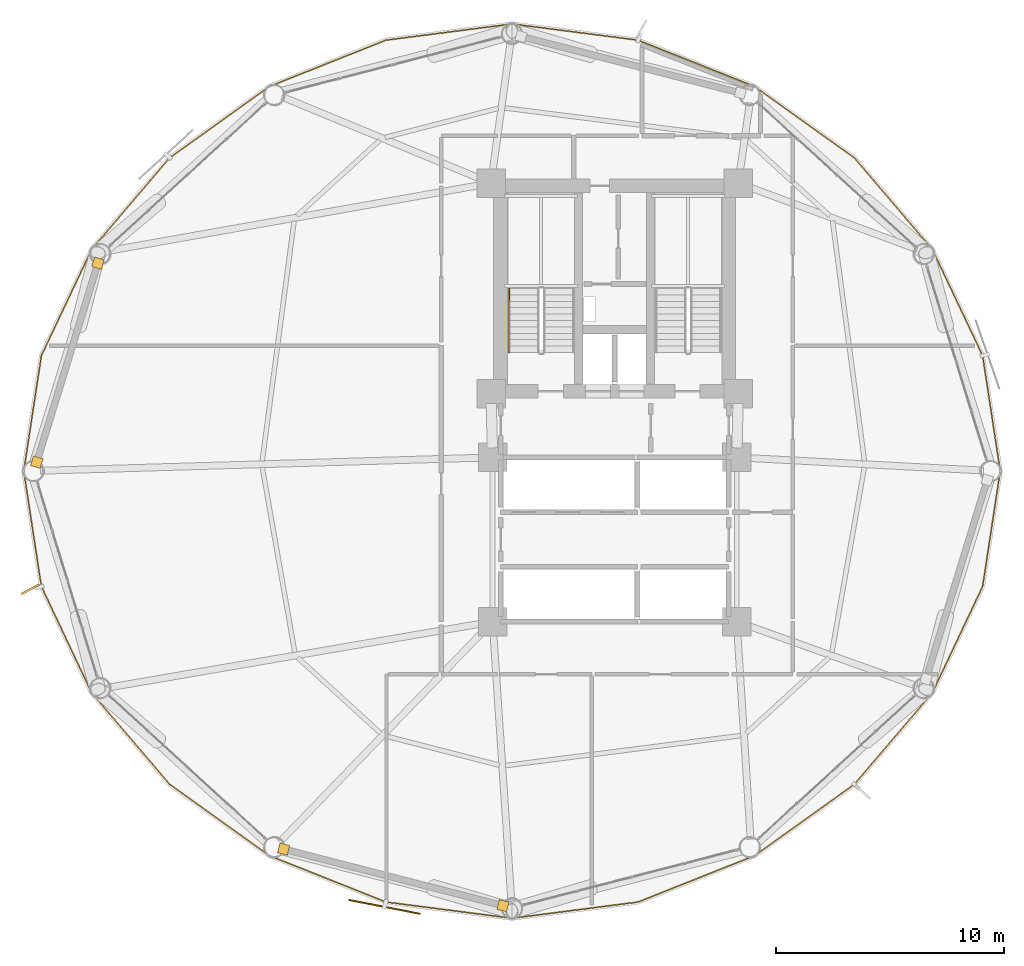
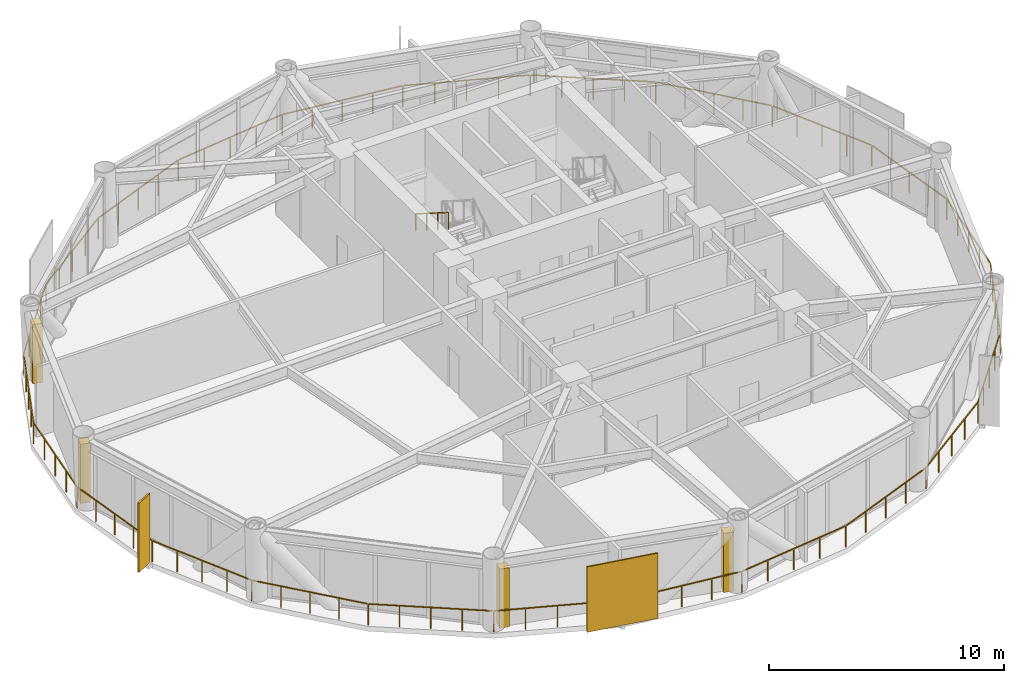
# One storey, part 24 of 26: 4 coverings, 2 railings, 2 shading devices.
"""IFC4 building model written with IfcOpenShell, lengths in metres."""

from ifc_helpers import new_model, si_unit, direction, frame, origin, origin_2d, place, context, subcontext, project, spatial, rectangle, extrude, source, transform, mapped, material, layer, layer_set, type_object, type_shapes, element, save


model = new_model("IFC4")

# Units and contexts
model_context = context("Model", 3, precision=1e-05, world=origin(), true_north=direction((0.0, 1.0)))
body_context = subcontext(model_context, "Body", "Model", "MODEL_VIEW")
ifc_project = project(units=[si_unit("LENGTHUNIT", "METRE"), si_unit("AREAUNIT", "SQUARE_METRE"), si_unit("VOLUMEUNIT", "CUBIC_METRE"), si_unit("PLANEANGLEUNIT", "RADIAN"), si_unit("MASSUNIT", "GRAM", prefix="KILO")], contexts=[model_context])

# Site, building, storey
site_placement = place(None, origin())
site = spatial("IfcSite", under=ifc_project, at=site_placement, CompositionType="ELEMENT")
building_placement = place(site_placement, origin())
building = spatial("IfcBuilding", under=site, at=building_placement, Name="Varnakorn Sky Granary", CompositionType="ELEMENT")
storey_placement = place(building_placement, frame((0.0, 0.0, 47.10009765625)))
storey = spatial("IfcBuildingStorey", under=building, at=storey_placement, Name="L11", CompositionType="ELEMENT", Elevation=47.10009765625)

# Railings
ifc_material_1 = material(Name="Anodised Bronze Aluminium Alloy 6063-T6", Category="aluminium")
railing_type_1 = type_object("IfcRailingType", Name="RL-BAL-1120", PredefinedType="BALUSTRADE", material=ifc_material_1)
railing_1_placement = place(storey_placement, frame((19.898681640625, 0.0, 0.0)))
element("IfcRailing", 1, at=railing_1_placement, inside=storey, type_object=railing_type_1, Name="Perimeter Slab-Edge Safety Guard L11", PredefinedType="BALUSTRADE", context=body_context, shape_type="SweptSolid", body=[
    extrude(rectangle(XDim=0.048095703125, YDim=0.048095703125, at=origin_2d()), frame((-0.004150390625, -0.027587890625, 1.09619140625), z_axis=(-0.150794827994, -0.988565081242, 0.0), x_axis=(0.988565081242, -0.150794827994, 0.0)), (0.0, 0.0, 1.0), 5.06005859375),
    extrude(rectangle(XDim=0.048095703125, YDim=0.048095703125, at=origin_2d()), frame((-0.783447265625, -5.0830078125, 1.09619140625), z_axis=(-0.427619073747, -0.903959029916, 0.0), x_axis=(0.903959029916, -0.427619073747, 0.0)), (0.0, 0.0, 1.0), 5.1103515625),
    extrude(rectangle(XDim=0.048095703125, YDim=0.048095703125, at=origin_2d()), frame((-2.998779296875, -9.7490234375, 1.09619140625), z_axis=(-0.648754457209, -0.760997801739, 0.0), x_axis=(0.760997801739, -0.648754457209, 0.0)), (0.0, 0.0, 1.0), 5.201171875),
    extrude(rectangle(XDim=0.048095703125, YDim=0.048095703125, at=origin_2d()), frame((-6.4140625, -13.744873046875, 1.09619140625), z_axis=(-0.813438795481, -0.581650518788, 0.0), x_axis=(0.581650518788, -0.813438795481, 0.0)), (0.0, 0.0, 1.0), 5.320068359375),
    extrude(rectangle(XDim=0.048095703125, YDim=0.048095703125, at=origin_2d()), frame((-10.79052734375, -16.86572265625, 1.09619140625), z_axis=(-0.929130820655, -0.369751157008, 0.0), x_axis=(0.369751157008, -0.929130820655, 0.0)), (0.0, 0.0, 1.0), 5.440185546875),
    extrude(rectangle(XDim=0.048095703125, YDim=0.048095703125, at=origin_2d()), frame((-15.89892578125, -18.891357421875, 1.09619140625), z_axis=(-0.991819065694, -0.127651638948, 0.0), x_axis=(0.127651638948, -0.991819065694, 0.0)), (0.0, 0.0, 1.0), 5.51708984375),
    extrude(rectangle(XDim=0.048095703125, YDim=0.048095703125, at=origin_2d()), frame((-21.426513671875, -19.595458984375, 1.09619140625), z_axis=(-0.991819065694, 0.127651638948, 0.0), x_axis=(-0.127651638948, -0.991819065694, 0.0)), (0.0, 0.0, 1.0), 5.51708984375),
    extrude(rectangle(XDim=0.048095703125, YDim=0.048095703125, at=origin_2d()), frame((-26.952392578125, -18.87744140625, 1.09619140625), z_axis=(-0.929130820655, 0.369751157008, 0.0), x_axis=(-0.369751157008, -0.929130820655, 0.0)), (0.0, 0.0, 1.0), 5.440185546875),
    extrude(rectangle(XDim=0.048095703125, YDim=0.048095703125, at=origin_2d()), frame((-32.0556640625, -16.839111328125, 1.09619140625), z_axis=(-0.813438795481, 0.581650518788, 0.0), x_axis=(-0.581650518788, -0.813438795481, 0.0)), (0.0, 0.0, 1.0), 5.320068359375),
    extrude(rectangle(XDim=0.048095703125, YDim=0.048095703125, at=origin_2d()), frame((-36.424072265625, -13.707275390625, 1.09619140625), z_axis=(-0.648754457209, 0.760997801739, 0.0), x_axis=(-0.760997801739, -0.648754457209, 0.0)), (0.0, 0.0, 1.0), 5.201171875),
    extrude(rectangle(XDim=0.048095703125, YDim=0.048095703125, at=origin_2d()), frame((-39.82861328125, -9.702392578125, 1.09619140625), z_axis=(-0.427619073747, 0.903959029916, 0.0), x_axis=(-0.903959029916, -0.427619073747, 0.0)), (0.0, 0.0, 1.0), 5.1103515625),
    extrude(rectangle(XDim=0.048095703125, YDim=0.048095703125, at=origin_2d()), frame((-42.030029296875, -5.030029296875, 1.09619140625), z_axis=(-0.150794827994, 0.988565081242, 0.0), x_axis=(-0.988565081242, -0.150794827994, 0.0)), (0.0, 0.0, 1.0), 5.06005859375),
    extrude(rectangle(XDim=0.048095703125, YDim=0.048095703125, at=origin_2d()), frame((-42.793212890625, 0.027587890625, 1.09619140625), z_axis=(0.150794827994, 0.988565081242, 0.0), x_axis=(-0.988565081242, 0.150794827994, 0.0)), (0.0, 0.0, 1.0), 5.06005859375),
    extrude(rectangle(XDim=0.048095703125, YDim=0.048095703125, at=origin_2d()), frame((-42.013916015625, 5.0830078125, 1.09619140625), z_axis=(0.427619073747, 0.903959029916, 0.0), x_axis=(-0.903959029916, 0.427619073747, 0.0)), (0.0, 0.0, 1.0), 5.1103515625),
    extrude(rectangle(XDim=0.048095703125, YDim=0.048095703125, at=origin_2d()), frame((-39.798583984375, 9.7490234375, 1.09619140625), z_axis=(0.648754457209, 0.760997801739, 0.0), x_axis=(-0.760997801739, 0.648754457209, 0.0)), (0.0, 0.0, 1.0), 5.201171875),
    extrude(rectangle(XDim=0.048095703125, YDim=0.048095703125, at=origin_2d()), frame((-36.38330078125, 13.744873046875, 1.09619140625), z_axis=(0.813438795481, 0.581650518788, 0.0), x_axis=(-0.581650518788, 0.813438795481, 0.0)), (0.0, 0.0, 1.0), 5.320068359375),
    extrude(rectangle(XDim=0.048095703125, YDim=0.048095703125, at=origin_2d()), frame((-32.0068359375, 16.86572265625, 1.09619140625), z_axis=(0.929130820655, 0.369751157008, 0.0), x_axis=(-0.369751157008, 0.929130820655, 0.0)), (0.0, 0.0, 1.0), 5.440185546875),
    extrude(rectangle(XDim=0.048095703125, YDim=0.048095703125, at=origin_2d()), frame((-26.8984375, 18.891357421875, 1.09619140625), z_axis=(0.991819065694, 0.127651638948, 0.0), x_axis=(-0.127651638948, 0.991819065694, 0.0)), (0.0, 0.0, 1.0), 5.51708984375),
    extrude(rectangle(XDim=0.048095703125, YDim=0.048095703125, at=origin_2d()), frame((-21.370849609375, 19.595458984375, 1.09619140625), z_axis=(0.991819065694, -0.127651638948, 0.0), x_axis=(0.127651638948, 0.991819065694, 0.0)), (0.0, 0.0, 1.0), 5.51708984375),
    extrude(rectangle(XDim=0.048095703125, YDim=0.048095703125, at=origin_2d()), frame((-15.844970703125, 18.87744140625, 1.09619140625), z_axis=(0.929130820655, -0.369751157008, 0.0), x_axis=(0.369751157008, 0.929130820655, 0.0)), (0.0, 0.0, 1.0), 5.440185546875),
    extrude(rectangle(XDim=0.048095703125, YDim=0.048095703125, at=origin_2d()), frame((-10.74169921875, 16.839111328125, 1.09619140625), z_axis=(0.813438795481, -0.581650518788, 0.0), x_axis=(0.581650518788, 0.813438795481, 0.0)), (0.0, 0.0, 1.0), 5.320068359375),
    extrude(rectangle(XDim=0.048095703125, YDim=0.048095703125, at=origin_2d()), frame((-6.373291015625, 13.707275390625, 1.09619140625), z_axis=(0.648754457209, -0.760997801739, 0.0), x_axis=(0.760997801739, 0.648754457209, 0.0)), (0.0, 0.0, 1.0), 5.201171875),
    extrude(rectangle(XDim=0.048095703125, YDim=0.048095703125, at=origin_2d()), frame((-2.96875, 9.702392578125, 1.09619140625), z_axis=(0.427619073747, -0.903959029916, 0.0), x_axis=(0.903959029916, 0.427619073747, 0.0)), (0.0, 0.0, 1.0), 5.1103515625),
    extrude(rectangle(XDim=0.048095703125, YDim=0.048095703125, at=origin_2d()), frame((-0.767333984375, 5.030029296875, 1.09619140625), z_axis=(0.150794827994, -0.988565081242, 0.0), x_axis=(0.988565081242, 0.150794827994, 0.0)), (0.0, 0.0, 1.0), 5.06005859375),
    extrude(rectangle(XDim=0.0419921875, YDim=0.0419921875, at=origin_2d()), origin(), (0.0, 0.0, 1.0), 1.068115234375),
    extrude(rectangle(XDim=0.0419921875, YDim=0.0419921875, at=origin_2d()), frame((-0.19287109375, -1.264404296875, 0.0)), (0.0, 0.0, 1.0), 1.068115234375),
    extrude(rectangle(XDim=0.0419921875, YDim=0.0419921875, at=origin_2d()), frame((-0.3857421875, -2.52880859375, 0.0)), (0.0, 0.0, 1.0), 1.068115234375),
    extrude(rectangle(XDim=0.0419921875, YDim=0.0419921875, at=origin_2d()), frame((-0.57861328125, -3.793212890625, 0.0)), (0.0, 0.0, 1.0), 1.068115234375),
    extrude(rectangle(XDim=0.0419921875, YDim=0.0419921875, at=origin_2d()), frame((-0.771484375, -5.0576171875, 0.0)), (0.0, 0.0, 1.0), 1.068115234375),
    extrude(rectangle(XDim=0.0419921875, YDim=0.0419921875, at=origin_2d()), frame((-1.32373046875, -6.22509765625, 0.0)), (0.0, 0.0, 1.0), 1.068115234375),
    extrude(rectangle(XDim=0.0419921875, YDim=0.0419921875, at=origin_2d()), frame((-1.8759765625, -7.392578125, 0.0)), (0.0, 0.0, 1.0), 1.068115234375),
    extrude(rectangle(XDim=0.0419921875, YDim=0.0419921875, at=origin_2d()), frame((-2.428466796875, -8.560302734375, 0.0)), (0.0, 0.0, 1.0), 1.068115234375),
    extrude(rectangle(XDim=0.0419921875, YDim=0.0419921875, at=origin_2d()), frame((-2.980712890625, -9.727783203125, 0.0)), (0.0, 0.0, 1.0), 1.068115234375),
    extrude(rectangle(XDim=0.0419921875, YDim=0.0419921875, at=origin_2d()), frame((-3.83349609375, -10.72802734375, 0.0)), (0.0, 0.0, 1.0), 1.068115234375),
    extrude(rectangle(XDim=0.0419921875, YDim=0.0419921875, at=origin_2d()), frame((-4.68603515625, -11.72802734375, 0.0)), (0.0, 0.0, 1.0), 1.068115234375),
    extrude(rectangle(XDim=0.0419921875, YDim=0.0419921875, at=origin_2d()), frame((-5.53857421875, -12.728271484375, 0.0)), (0.0, 0.0, 1.0), 1.068115234375),
    extrude(rectangle(XDim=0.0419921875, YDim=0.0419921875, at=origin_2d()), frame((-6.391357421875, -13.728515625, 0.0)), (0.0, 0.0, 1.0), 1.068115234375),
    extrude(rectangle(XDim=0.0419921875, YDim=0.0419921875, at=origin_2d()), frame((-7.484619140625, -14.51025390625, 0.0)), (0.0, 0.0, 1.0), 1.068115234375),
    extrude(rectangle(XDim=0.0419921875, YDim=0.0419921875, at=origin_2d()), frame((-8.577880859375, -15.2919921875, 0.0)), (0.0, 0.0, 1.0), 1.068115234375),
    extrude(rectangle(XDim=0.0419921875, YDim=0.0419921875, at=origin_2d()), frame((-9.671142578125, -16.07373046875, 0.0)), (0.0, 0.0, 1.0), 1.068115234375),
    extrude(rectangle(XDim=0.0419921875, YDim=0.0419921875, at=origin_2d()), frame((-10.764404296875, -16.85546875, 0.0)), (0.0, 0.0, 1.0), 1.068115234375),
    extrude(rectangle(XDim=0.0419921875, YDim=0.0419921875, at=origin_2d()), frame((-12.041015625, -17.363525390625, 0.0)), (0.0, 0.0, 1.0), 1.068115234375),
    extrude(rectangle(XDim=0.0419921875, YDim=0.0419921875, at=origin_2d()), frame((-13.31787109375, -17.87158203125, 0.0)), (0.0, 0.0, 1.0), 1.068115234375),
    extrude(rectangle(XDim=0.0419921875, YDim=0.0419921875, at=origin_2d()), frame((-14.594482421875, -18.379638671875, 0.0)), (0.0, 0.0, 1.0), 1.068115234375),
    extrude(rectangle(XDim=0.0419921875, YDim=0.0419921875, at=origin_2d()), frame((-15.87109375, -18.8876953125, 0.0)), (0.0, 0.0, 1.0), 1.068115234375),
    extrude(rectangle(XDim=0.0419921875, YDim=0.0419921875, at=origin_2d()), frame((-17.2529296875, -19.0654296875, 0.0)), (0.0, 0.0, 1.0), 1.068115234375),
    extrude(rectangle(XDim=0.0419921875, YDim=0.0419921875, at=origin_2d()), frame((-18.634765625, -19.243408203125, 0.0)), (0.0, 0.0, 1.0), 1.068115234375),
    extrude(rectangle(XDim=0.0419921875, YDim=0.0419921875, at=origin_2d()), frame((-20.016845703125, -19.42138671875, 0.0)), (0.0, 0.0, 1.0), 1.068115234375),
    extrude(rectangle(XDim=0.0419921875, YDim=0.0419921875, at=origin_2d()), frame((-21.398681640625, -19.59912109375, 0.0)), (0.0, 0.0, 1.0), 1.068115234375),
    extrude(rectangle(XDim=0.0419921875, YDim=0.0419921875, at=origin_2d()), frame((-22.780517578125, -19.42138671875, 0.0)), (0.0, 0.0, 1.0), 1.068115234375),
    extrude(rectangle(XDim=0.0419921875, YDim=0.0419921875, at=origin_2d()), frame((-24.16259765625, -19.243408203125, 0.0)), (0.0, 0.0, 1.0), 1.068115234375),
    extrude(rectangle(XDim=0.0419921875, YDim=0.0419921875, at=origin_2d()), frame((-25.54443359375, -19.0654296875, 0.0)), (0.0, 0.0, 1.0), 1.068115234375),
    extrude(rectangle(XDim=0.0419921875, YDim=0.0419921875, at=origin_2d()), frame((-26.92626953125, -18.8876953125, 0.0)), (0.0, 0.0, 1.0), 1.068115234375),
    extrude(rectangle(XDim=0.0419921875, YDim=0.0419921875, at=origin_2d()), frame((-28.202880859375, -18.379638671875, 0.0)), (0.0, 0.0, 1.0), 1.068115234375),
    extrude(rectangle(XDim=0.0419921875, YDim=0.0419921875, at=origin_2d()), frame((-29.4794921875, -17.87158203125, 0.0)), (0.0, 0.0, 1.0), 1.068115234375),
    extrude(rectangle(XDim=0.0419921875, YDim=0.0419921875, at=origin_2d()), frame((-30.75634765625, -17.363525390625, 0.0)), (0.0, 0.0, 1.0), 1.068115234375),
    extrude(rectangle(XDim=0.0419921875, YDim=0.0419921875, at=origin_2d()), frame((-32.032958984375, -16.85546875, 0.0)), (0.0, 0.0, 1.0), 1.068115234375),
    extrude(rectangle(XDim=0.0419921875, YDim=0.0419921875, at=origin_2d()), frame((-33.126220703125, -16.07373046875, 0.0)), (0.0, 0.0, 1.0), 1.068115234375),
    extrude(rectangle(XDim=0.0419921875, YDim=0.0419921875, at=origin_2d()), frame((-34.219482421875, -15.2919921875, 0.0)), (0.0, 0.0, 1.0), 1.068115234375),
    extrude(rectangle(XDim=0.0419921875, YDim=0.0419921875, at=origin_2d()), frame((-35.312744140625, -14.51025390625, 0.0)), (0.0, 0.0, 1.0), 1.068115234375),
    extrude(rectangle(XDim=0.0419921875, YDim=0.0419921875, at=origin_2d()), frame((-36.406005859375, -13.728515625, 0.0)), (0.0, 0.0, 1.0), 1.068115234375),
    extrude(rectangle(XDim=0.0419921875, YDim=0.0419921875, at=origin_2d()), frame((-37.2587890625, -12.728271484375, 0.0)), (0.0, 0.0, 1.0), 1.068115234375),
    extrude(rectangle(XDim=0.0419921875, YDim=0.0419921875, at=origin_2d()), frame((-38.111328125, -11.72802734375, 0.0)), (0.0, 0.0, 1.0), 1.068115234375),
    extrude(rectangle(XDim=0.0419921875, YDim=0.0419921875, at=origin_2d()), frame((-38.9638671875, -10.72802734375, 0.0)), (0.0, 0.0, 1.0), 1.068115234375),
    extrude(rectangle(XDim=0.0419921875, YDim=0.0419921875, at=origin_2d()), frame((-39.816650390625, -9.727783203125, 0.0)), (0.0, 0.0, 1.0), 1.068115234375),
    extrude(rectangle(XDim=0.0419921875, YDim=0.0419921875, at=origin_2d()), frame((-40.368896484375, -8.560302734375, 0.0)), (0.0, 0.0, 1.0), 1.068115234375),
    extrude(rectangle(XDim=0.0419921875, YDim=0.0419921875, at=origin_2d()), frame((-40.92138671875, -7.392578125, 0.0)), (0.0, 0.0, 1.0), 1.068115234375),
    extrude(rectangle(XDim=0.0419921875, YDim=0.0419921875, at=origin_2d()), frame((-41.4736328125, -6.22509765625, 0.0)), (0.0, 0.0, 1.0), 1.068115234375),
    extrude(rectangle(XDim=0.0419921875, YDim=0.0419921875, at=origin_2d()), frame((-42.02587890625, -5.0576171875, 0.0)), (0.0, 0.0, 1.0), 1.068115234375),
    extrude(rectangle(XDim=0.0419921875, YDim=0.0419921875, at=origin_2d()), frame((-42.21875, -3.793212890625, 0.0)), (0.0, 0.0, 1.0), 1.068115234375),
    extrude(rectangle(XDim=0.0419921875, YDim=0.0419921875, at=origin_2d()), frame((-42.41162109375, -2.52880859375, 0.0)), (0.0, 0.0, 1.0), 1.068115234375),
    extrude(rectangle(XDim=0.0419921875, YDim=0.0419921875, at=origin_2d()), frame((-42.6044921875, -1.264404296875, 0.0)), (0.0, 0.0, 1.0), 1.068115234375),
    extrude(rectangle(XDim=0.0419921875, YDim=0.0419921875, at=origin_2d()), frame((-42.79736328125, 0.0, 0.0)), (0.0, 0.0, 1.0), 1.068115234375),
    extrude(rectangle(XDim=0.0419921875, YDim=0.0419921875, at=origin_2d()), frame((-42.6044921875, 1.264404296875, 0.0)), (0.0, 0.0, 1.0), 1.068115234375),
    extrude(rectangle(XDim=0.0419921875, YDim=0.0419921875, at=origin_2d()), frame((-42.41162109375, 2.52880859375, 0.0)), (0.0, 0.0, 1.0), 1.068115234375),
    extrude(rectangle(XDim=0.0419921875, YDim=0.0419921875, at=origin_2d()), frame((-42.21875, 3.793212890625, 0.0)), (0.0, 0.0, 1.0), 1.068115234375),
    extrude(rectangle(XDim=0.0419921875, YDim=0.0419921875, at=origin_2d()), frame((-42.02587890625, 5.0576171875, 0.0)), (0.0, 0.0, 1.0), 1.068115234375),
    extrude(rectangle(XDim=0.0419921875, YDim=0.0419921875, at=origin_2d()), frame((-41.4736328125, 6.22509765625, 0.0)), (0.0, 0.0, 1.0), 1.068115234375),
    extrude(rectangle(XDim=0.0419921875, YDim=0.0419921875, at=origin_2d()), frame((-40.92138671875, 7.392578125, 0.0)), (0.0, 0.0, 1.0), 1.068115234375),
    extrude(rectangle(XDim=0.0419921875, YDim=0.0419921875, at=origin_2d()), frame((-40.368896484375, 8.560302734375, 0.0)), (0.0, 0.0, 1.0), 1.068115234375),
    extrude(rectangle(XDim=0.0419921875, YDim=0.0419921875, at=origin_2d()), frame((-39.816650390625, 9.727783203125, 0.0)), (0.0, 0.0, 1.0), 1.068115234375),
    extrude(rectangle(XDim=0.0419921875, YDim=0.0419921875, at=origin_2d()), frame((-38.9638671875, 10.72802734375, 0.0)), (0.0, 0.0, 1.0), 1.068115234375),
    extrude(rectangle(XDim=0.0419921875, YDim=0.0419921875, at=origin_2d()), frame((-38.111328125, 11.72802734375, 0.0)), (0.0, 0.0, 1.0), 1.068115234375),
    extrude(rectangle(XDim=0.0419921875, YDim=0.0419921875, at=origin_2d()), frame((-37.2587890625, 12.728271484375, 0.0)), (0.0, 0.0, 1.0), 1.068115234375),
    extrude(rectangle(XDim=0.0419921875, YDim=0.0419921875, at=origin_2d()), frame((-36.406005859375, 13.728515625, 0.0)), (0.0, 0.0, 1.0), 1.068115234375),
    extrude(rectangle(XDim=0.0419921875, YDim=0.0419921875, at=origin_2d()), frame((-35.312744140625, 14.51025390625, 0.0)), (0.0, 0.0, 1.0), 1.068115234375),
    extrude(rectangle(XDim=0.0419921875, YDim=0.0419921875, at=origin_2d()), frame((-34.219482421875, 15.2919921875, 0.0)), (0.0, 0.0, 1.0), 1.068115234375),
    extrude(rectangle(XDim=0.0419921875, YDim=0.0419921875, at=origin_2d()), frame((-33.126220703125, 16.07373046875, 0.0)), (0.0, 0.0, 1.0), 1.068115234375),
    extrude(rectangle(XDim=0.0419921875, YDim=0.0419921875, at=origin_2d()), frame((-32.032958984375, 16.85546875, 0.0)), (0.0, 0.0, 1.0), 1.068115234375),
    extrude(rectangle(XDim=0.0419921875, YDim=0.0419921875, at=origin_2d()), frame((-30.75634765625, 17.363525390625, 0.0)), (0.0, 0.0, 1.0), 1.068115234375),
    extrude(rectangle(XDim=0.0419921875, YDim=0.0419921875, at=origin_2d()), frame((-29.4794921875, 17.87158203125, 0.0)), (0.0, 0.0, 1.0), 1.068115234375),
    extrude(rectangle(XDim=0.0419921875, YDim=0.0419921875, at=origin_2d()), frame((-28.202880859375, 18.379638671875, 0.0)), (0.0, 0.0, 1.0), 1.068115234375),
    extrude(rectangle(XDim=0.0419921875, YDim=0.0419921875, at=origin_2d()), frame((-26.92626953125, 18.8876953125, 0.0)), (0.0, 0.0, 1.0), 1.068115234375),
    extrude(rectangle(XDim=0.0419921875, YDim=0.0419921875, at=origin_2d()), frame((-25.54443359375, 19.0654296875, 0.0)), (0.0, 0.0, 1.0), 1.068115234375),
    extrude(rectangle(XDim=0.0419921875, YDim=0.0419921875, at=origin_2d()), frame((-24.16259765625, 19.243408203125, 0.0)), (0.0, 0.0, 1.0), 1.068115234375),
    extrude(rectangle(XDim=0.0419921875, YDim=0.0419921875, at=origin_2d()), frame((-22.780517578125, 19.42138671875, 0.0)), (0.0, 0.0, 1.0), 1.068115234375),
    extrude(rectangle(XDim=0.0419921875, YDim=0.0419921875, at=origin_2d()), frame((-21.398681640625, 19.59912109375, 0.0)), (0.0, 0.0, 1.0), 1.068115234375),
    extrude(rectangle(XDim=0.0419921875, YDim=0.0419921875, at=origin_2d()), frame((-20.016845703125, 19.42138671875, 0.0)), (0.0, 0.0, 1.0), 1.068115234375),
    extrude(rectangle(XDim=0.0419921875, YDim=0.0419921875, at=origin_2d()), frame((-18.634765625, 19.243408203125, 0.0)), (0.0, 0.0, 1.0), 1.068115234375),
    extrude(rectangle(XDim=0.0419921875, YDim=0.0419921875, at=origin_2d()), frame((-17.2529296875, 19.0654296875, 0.0)), (0.0, 0.0, 1.0), 1.068115234375),
    extrude(rectangle(XDim=0.0419921875, YDim=0.0419921875, at=origin_2d()), frame((-15.87109375, 18.8876953125, 0.0)), (0.0, 0.0, 1.0), 1.068115234375),
    extrude(rectangle(XDim=0.0419921875, YDim=0.0419921875, at=origin_2d()), frame((-14.594482421875, 18.379638671875, 0.0)), (0.0, 0.0, 1.0), 1.068115234375),
    extrude(rectangle(XDim=0.0419921875, YDim=0.0419921875, at=origin_2d()), frame((-13.31787109375, 17.87158203125, 0.0)), (0.0, 0.0, 1.0), 1.068115234375),
    extrude(rectangle(XDim=0.0419921875, YDim=0.0419921875, at=origin_2d()), frame((-12.041015625, 17.363525390625, 0.0)), (0.0, 0.0, 1.0), 1.068115234375),
    extrude(rectangle(XDim=0.0419921875, YDim=0.0419921875, at=origin_2d()), frame((-10.764404296875, 16.85546875, 0.0)), (0.0, 0.0, 1.0), 1.068115234375),
    extrude(rectangle(XDim=0.0419921875, YDim=0.0419921875, at=origin_2d()), frame((-9.671142578125, 16.07373046875, 0.0)), (0.0, 0.0, 1.0), 1.068115234375),
    extrude(rectangle(XDim=0.0419921875, YDim=0.0419921875, at=origin_2d()), frame((-8.577880859375, 15.2919921875, 0.0)), (0.0, 0.0, 1.0), 1.068115234375),
    extrude(rectangle(XDim=0.0419921875, YDim=0.0419921875, at=origin_2d()), frame((-7.484619140625, 14.51025390625, 0.0)), (0.0, 0.0, 1.0), 1.068115234375),
    extrude(rectangle(XDim=0.0419921875, YDim=0.0419921875, at=origin_2d()), frame((-6.391357421875, 13.728515625, 0.0)), (0.0, 0.0, 1.0), 1.068115234375),
    extrude(rectangle(XDim=0.0419921875, YDim=0.0419921875, at=origin_2d()), frame((-5.53857421875, 12.728271484375, 0.0)), (0.0, 0.0, 1.0), 1.068115234375),
    extrude(rectangle(XDim=0.0419921875, YDim=0.0419921875, at=origin_2d()), frame((-4.68603515625, 11.72802734375, 0.0)), (0.0, 0.0, 1.0), 1.068115234375),
    extrude(rectangle(XDim=0.0419921875, YDim=0.0419921875, at=origin_2d()), frame((-3.83349609375, 10.72802734375, 0.0)), (0.0, 0.0, 1.0), 1.068115234375),
    extrude(rectangle(XDim=0.0419921875, YDim=0.0419921875, at=origin_2d()), frame((-2.980712890625, 9.727783203125, 0.0)), (0.0, 0.0, 1.0), 1.068115234375),
    extrude(rectangle(XDim=0.0419921875, YDim=0.0419921875, at=origin_2d()), frame((-2.428466796875, 8.560302734375, 0.0)), (0.0, 0.0, 1.0), 1.068115234375),
    extrude(rectangle(XDim=0.0419921875, YDim=0.0419921875, at=origin_2d()), frame((-1.8759765625, 7.392578125, 0.0)), (0.0, 0.0, 1.0), 1.068115234375),
    extrude(rectangle(XDim=0.0419921875, YDim=0.0419921875, at=origin_2d()), frame((-1.32373046875, 6.22509765625, 0.0)), (0.0, 0.0, 1.0), 1.068115234375),
    extrude(rectangle(XDim=0.0419921875, YDim=0.0419921875, at=origin_2d()), frame((-0.771484375, 5.0576171875, 0.0)), (0.0, 0.0, 1.0), 1.068115234375),
    extrude(rectangle(XDim=0.0419921875, YDim=0.0419921875, at=origin_2d()), frame((-0.57861328125, 3.793212890625, 0.0)), (0.0, 0.0, 1.0), 1.068115234375),
    extrude(rectangle(XDim=0.0419921875, YDim=0.0419921875, at=origin_2d()), frame((-0.3857421875, 2.52880859375, 0.0)), (0.0, 0.0, 1.0), 1.068115234375),
    extrude(rectangle(XDim=0.0419921875, YDim=0.0419921875, at=origin_2d()), frame((-0.19287109375, 1.264404296875, 0.0)), (0.0, 0.0, 1.0), 1.068115234375),
])
ifc_material_2 = material(Name="Brushed Stainless Steel 316", Category="steel")
railing_type_2 = type_object("IfcRailingType", Name="RL-STAIR-920", PredefinedType="HANDRAIL", material=ifc_material_2)
railing_2_placement = place(storey_placement, frame((-1.6201171875, 8.0, 2.127197265625)))
element("IfcRailing", 2, at=railing_2_placement, inside=storey, type_object=railing_type_2, Name="L11 ST-1 stair handrail 2", PredefinedType="HANDRAIL", context=body_context, shape_type="SweptSolid", body=[
    extrude(rectangle(XDim=0.048095703125, YDim=0.048095703125, at=origin_2d()), frame((0.0, 0.0, 0.8759765625), z_axis=(0.0, -0.844908973607, 0.534910110503), x_axis=(1.0, 0.0, 0.0)), (0.0, 0.0, 1.0), 3.31396484375),
    extrude(rectangle(XDim=0.0419921875, YDim=0.0419921875, at=origin_2d()), origin(), (0.0, 0.0, 1.0), 0.847900390625),
    extrude(rectangle(XDim=0.0419921875, YDim=0.0419921875, at=origin_2d()), frame((0.0, -0.933349609375, 0.5908203125)), (0.0, 0.0, 1.0), 0.847900390625),
    extrude(rectangle(XDim=0.0419921875, YDim=0.0419921875, at=origin_2d()), frame((0.0, -1.86669921875, 1.181884765625)), (0.0, 0.0, 1.0), 0.847900390625),
    extrude(rectangle(XDim=0.0419921875, YDim=0.0419921875, at=origin_2d()), frame((0.0, -2.800048828125, 1.772705078125)), (0.0, 0.0, 1.0), 0.847900390625),
])

# Shading device
shading_device_type_1 = type_object("IfcShadingDeviceType", Name="SH-FIN-01", PredefinedType="USERDEFINED", material=ifc_material_1)
shared_shape_1 = source(origin(), body_context, "Body", "SweptSolid", [
    extrude(rectangle(XDim=0.0849609375, YDim=0.8798828125, at=origin_2d()), origin(), (0.0, 0.0, 1.0), 3.60009765625),
])
type_shapes(shading_device_type_1, [shared_shape_1])
shading_device_1_placement = place(storey_placement, frame((-22.613037109375, -5.179931640625, -0.0400390625), z_axis=(0.0, 0.0, 1.0), x_axis=(0.468977766817, -0.883209971768, 0.0)))
element("IfcShadingDevice", 3, at=shading_device_1_placement, inside=storey, type_object=shading_device_type_1, Name="Bronze Solar-Tracking Vertical Blade FIN L11-07", ObjectType="FIN", PredefinedType="USERDEFINED", context=body_context, shape_type="MappedRepresentation", body=[
    mapped(shared_shape_1, transform((0.0, 0.0, 0.0), x_axis=(1.0, 0.0, 0.0), y_axis=(0.0, 1.0, 0.0), z_axis=(0.0, 0.0, 1.0), scale=1.0)),
])

# Coverings
ifc_layer = layer(ifc_material_1, 0.050048828125, Name="Anodised Bronze Aluminium Alloy 6063-T6")
ifc_layer_set = layer_set([ifc_layer], Name="Anodised Bronze Aluminium Alloy 6063-T6")
covering_type = type_object("IfcCoveringType", Name="CV-CLAD-50", PredefinedType="CLADDING", material=ifc_layer_set)
shared_shape_2 = source(origin(), body_context, "Body", "SweptSolid", [
    extrude(rectangle(XDim=0.43994140625, YDim=0.43994140625, at=origin_2d()), origin(), (0.0, 0.0, 1.0), 3.080078125),
])
type_shapes(covering_type, [shared_shape_2])
for number, where, z_axis, x_axis, name in (
    (4, (-22.328857421875, 0.393798828125, -0.02001953125), (0.0, 0.0, 1.0), (0.293873503404, 0.955844319959, 0.0), "Bronze Corner Pilaster Closure L11-P06-A"),
    (5, (-19.6474609375, 9.11376953125, -0.02001953125), (0.0, 0.0, 1.0), (0.293873503404, 0.955844319959, 0.0), "Bronze Corner Pilaster Closure L11-P06-B"),
    (6, (-1.89892578125, -19.047119140625, -0.02001953125), (0.0, 0.0, 1.0), (-0.96836576948, 0.249535040626, 0.0), "Bronze Corner Pilaster Closure L11-P09-A"),
    (7, (-11.508544921875, -16.5703125, -0.02001953125), (0.0, 0.0, 1.0), (-0.96836576948, 0.249535040626, 0.0), "Bronze Corner Pilaster Closure L11-P09-B"),
):
    element("IfcCovering", number, at=place(storey_placement, frame(where, z_axis=z_axis, x_axis=x_axis)), inside=storey, type_object=covering_type, Name=name, PredefinedType="CLADDING", context=body_context, shape_type="MappedRepresentation", body=[
        mapped(shared_shape_2, transform((0.0, 0.0, 0.0), x_axis=(1.0, 0.0, 0.0), y_axis=(0.0, 1.0, 0.0), z_axis=(0.0, 0.0, 1.0), scale=1.0)),
    ])

# Shading device
shading_device_type_2 = type_object("IfcShadingDeviceType", Name="SH-SCR-01", PredefinedType="USERDEFINED", material=ifc_material_1)
shared_shape_3 = source(origin(), body_context, "Body", "SweptSolid", [
    extrude(rectangle(XDim=3.199951171875, YDim=0.06494140625, at=origin_2d()), origin(), (0.0, 0.0, 1.0), 3.39990234375),
])
type_shapes(shading_device_type_2, [shared_shape_3])
shading_device_2_placement = place(storey_placement, frame((-7.08935546875, -19.099609375, -0.0400390625), z_axis=(0.0, 0.0, 1.0), x_axis=(0.981421902811, -0.191862056392, 0.0)))
element("IfcShadingDevice", 8, at=shading_device_2_placement, inside=storey, type_object=shading_device_type_2, Name="Perforated Bronze Solar Screen Panel SCREEN L11-09", ObjectType="SCREEN", PredefinedType="USERDEFINED", context=body_context, shape_type="MappedRepresentation", body=[
    mapped(shared_shape_3, transform((0.0, 0.0, 0.0), x_axis=(1.0, 0.0, 0.0), y_axis=(0.0, 1.0, 0.0), z_axis=(0.0, 0.0, 1.0), scale=1.0)),
])

save(model, "model.ifc")
